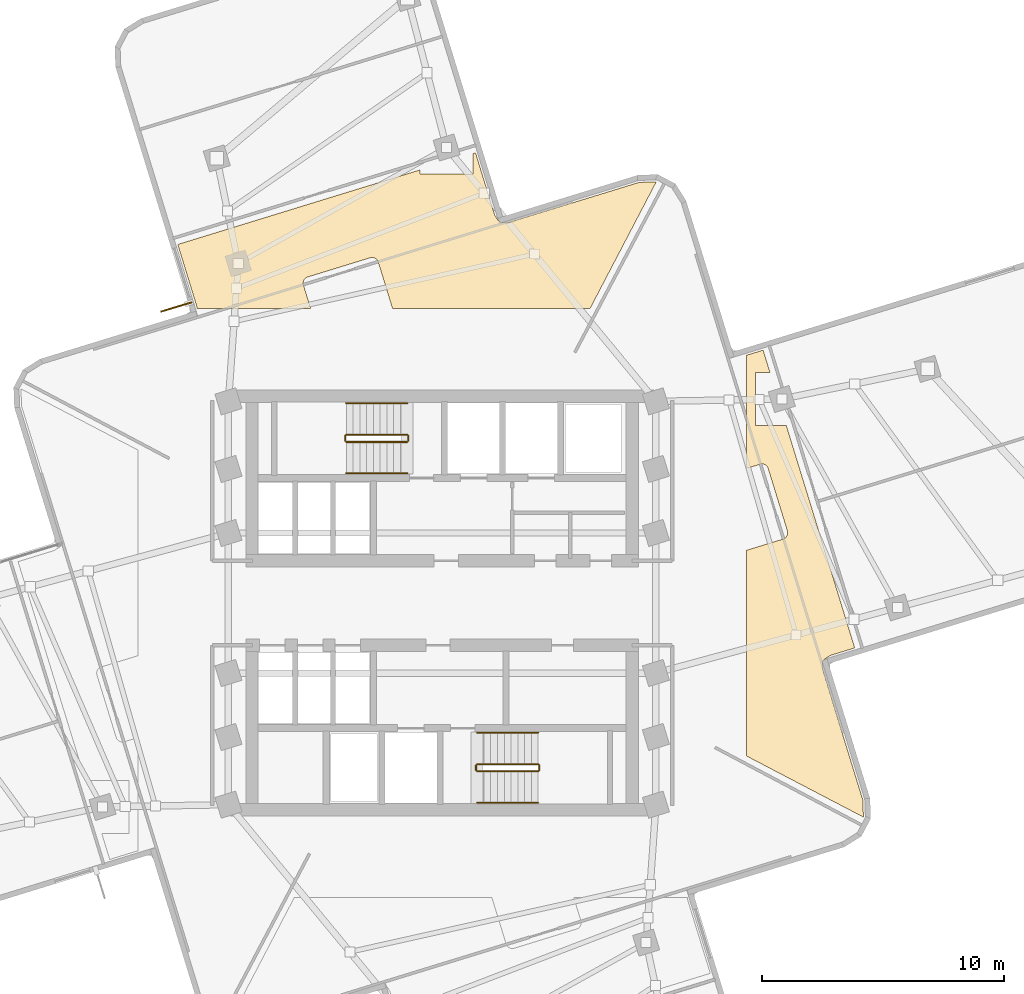
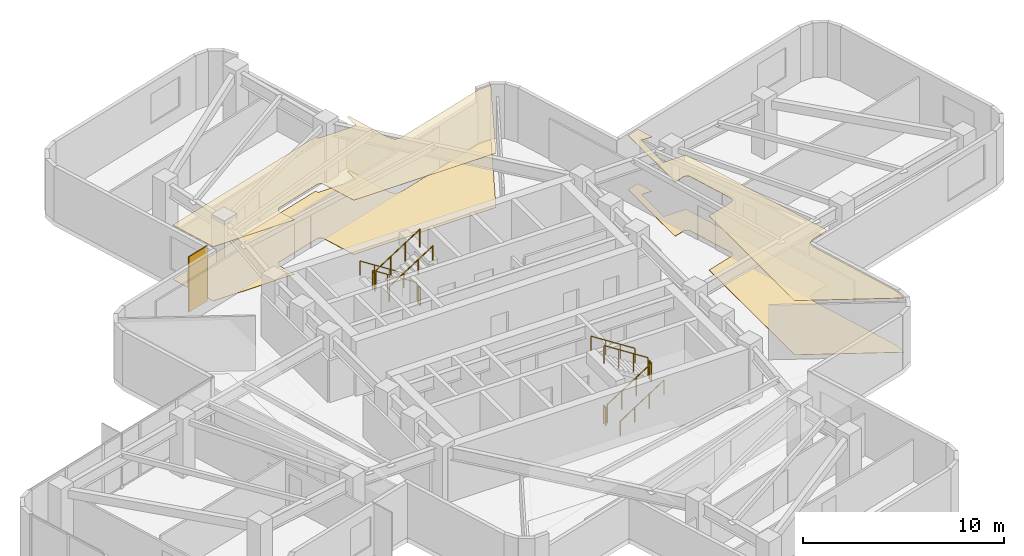
# One storey, part 10 of 10: 12 railings, 4 coverings, 1 shading device.
"""IFC4 building model written with IfcOpenShell, lengths in metres."""

from ifc_helpers import new_model, si_unit, direction, frame, origin, origin_2d, place, context, subcontext, project, spatial, polyline, rectangle, circle, outline, extrude, material, layer, layer_set, type_object, element, save


model = new_model("IFC4")

# Units and contexts
model_context = context("Model", 3, precision=1e-05, world=origin(), true_north=direction((0.0, 1.0)))
body_context = subcontext(model_context, "Body", "Model", "MODEL_VIEW")
ifc_project = project(units=[si_unit("LENGTHUNIT", "METRE"), si_unit("AREAUNIT", "SQUARE_METRE"), si_unit("VOLUMEUNIT", "CUBIC_METRE"), si_unit("PLANEANGLEUNIT", "RADIAN"), si_unit("MASSUNIT", "GRAM", prefix="KILO")], contexts=[model_context])

# Site, building, storey
site_placement = place(None, origin())
site = spatial("IfcSite", under=ifc_project, at=site_placement, CompositionType="ELEMENT")
building_placement = place(site_placement, origin())
building = spatial("IfcBuilding", under=site, at=building_placement, Name="Solmarez Civic Tower", CompositionType="ELEMENT")
storey_placement = place(building_placement, frame((0.0, 0.0, 148.679931640625)))
storey = spatial("IfcBuildingStorey", under=building, at=storey_placement, Name="L39", CompositionType="ELEMENT", Elevation=148.679931640625)

# Coverings
ifc_material_1 = material(Name="Perforated Mineral-Fibre Acoustic Ceiling")
ifc_layer_1 = layer(ifc_material_1, 0.02490234375)
ifc_layer_set_1 = layer_set([ifc_layer_1], Name="Perforated Mineral-Fibre Acoustic Ceiling")
covering_type_1 = type_object("IfcCoveringType", Name="COV-CEIL-ACOUSTIC", PredefinedType="CEILING", material=ifc_layer_set_1)
covering_1_placement = place(storey_placement, frame((0.0, 0.0, 3.295166015625)))
element("IfcCovering", 1, at=covering_1_placement, inside=storey, type_object=covering_type_1, Name="L39 Suspended Acoustic Ceiling 2", PredefinedType="CEILING", context=body_context, shape_type="SweptSolid", body=[
    extrude(outline(polyline([(-10.949951171875, 14.845947265625), (-10.1708984375, 12.31494140625), (-10.1689453125, 12.31005859375), (-10.1669921875, 12.302978515625), (-10.160888671875, 12.27392578125), (-10.159912109375, 12.26708984375), (-10.158935546875, 12.260009765625), (-10.156982421875, 12.237060546875), (-10.156005859375, 12.199951171875), (-5.447998046875, 12.199951171875), (-5.743896484375, 13.162109375), (-5.75, 13.18408203125), (-5.7509765625, 13.18896484375), (-5.751953125, 13.194091796875), (-5.7548828125, 13.215087890625), (-5.756103515625, 13.237060546875), (-5.756103515625, 13.2470703125), (-5.7548828125, 13.27099609375), (-5.7509765625, 13.294921875), (-5.7490234375, 13.303955078125), (-5.742919921875, 13.324951171875), (-5.735107421875, 13.344970703125), (-5.73095703125, 13.35400390625), (-5.721923828125, 13.3720703125), (-5.717041015625, 13.381103515625), (-5.705078125, 13.39990234375), (-5.69091796875, 13.4189453125), (-5.675048828125, 13.43505859375), (-5.6640625, 13.444091796875), (-5.656982421875, 13.449951171875), (-5.64208984375, 13.4619140625), (-5.62109375, 13.47607421875), (-5.59912109375, 13.487060546875), (-5.590087890625, 13.490966796875), (-5.56591796875, 13.5), (-2.986083984375, 14.2939453125), (-2.964111328125, 14.300048828125), (-2.958984375, 14.301025390625), (-2.93798828125, 14.303955078125), (-2.927978515625, 14.304931640625), (-2.906005859375, 14.305908203125), (-2.90087890625, 14.305908203125), (-2.876953125, 14.304931640625), (-2.85302734375, 14.301025390625), (-2.843994140625, 14.299072265625), (-2.822998046875, 14.29296875), (-2.802978515625, 14.284912109375), (-2.7958984375, 14.281982421875), (-2.77587890625, 14.27294921875), (-2.757080078125, 14.261962890625), (-2.739013671875, 14.248046875), (-2.722900390625, 14.23388671875), (-2.718994140625, 14.23095703125), (-2.705078125, 14.217041015625), (-2.69189453125, 14.200927734375), (-2.679931640625, 14.18505859375), (-2.675048828125, 14.177001953125), (-2.660888671875, 14.14892578125), (-2.656982421875, 14.139892578125), (-2.64794921875, 14.115966796875), (-2.05810546875, 12.199951171875), (6.1259765625, 12.199951171875), (8.864013671875, 17.43896484375), (8.85693359375, 17.44189453125), (8.14990234375, 17.416015625), (2.798095703125, 15.77001953125), (2.79296875, 15.76806640625), (2.785888671875, 15.76611328125), (2.757080078125, 15.760009765625), (2.75, 15.759033203125), (2.742919921875, 15.758056640625), (2.719970703125, 15.756103515625), (2.548095703125, 15.75), (2.5400390625, 15.75), (2.532958984375, 15.75), (2.506103515625, 15.751953125), (2.498046875, 15.7529296875), (2.48095703125, 15.7548828125), (2.465087890625, 15.759033203125), (2.45703125, 15.761962890625), (2.43994140625, 15.76708984375), (2.423095703125, 15.77294921875), (2.416015625, 15.77587890625), (2.405029296875, 15.781005859375), (2.39892578125, 15.783935546875), (2.387939453125, 15.7900390625), (2.381103515625, 15.7939453125), (2.364990234375, 15.803955078125), (2.34912109375, 15.81591796875), (2.343017578125, 15.821044921875), (2.327880859375, 15.833984375), (2.31494140625, 15.85009765625), (2.304931640625, 15.860107421875), (2.29296875, 15.875), (2.281982421875, 15.89404296875), (2.19189453125, 16.034912109375), (2.180908203125, 16.054931640625), (2.177978515625, 16.06103515625), (2.172119140625, 16.073974609375), (2.1650390625, 16.090087890625), (2.158935546875, 16.10693359375), (1.3798828125, 18.639892578125), (1.282958984375, 18.610107421875), (1.282958984375, 17.760009765625), (-0.9169921875, 17.760009765625), (-0.9169921875, 17.93310546875), (-10.949951171875, 14.845947265625)])), origin(), (0.0, 0.0, 1.0), 0.02490234375),
])
covering_2_placement = place(storey_placement, frame((0.0, 0.0, 3.295166015625)))
element("IfcCovering", 2, at=covering_2_placement, inside=storey, type_object=covering_type_1, Name="L39 Suspended Acoustic Ceiling 4", PredefinedType="CEILING", context=body_context, shape_type="SweptSolid", body=[
    extrude(outline(polyline([(13.2880859375, 10.469970703125), (12.60009765625, 10.258056640625), (12.60009765625, 5.571044921875), (13.162109375, 5.743896484375), (13.18408203125, 5.75), (13.18896484375, 5.7509765625), (13.194091796875, 5.751953125), (13.215087890625, 5.7548828125), (13.237060546875, 5.756103515625), (13.2470703125, 5.756103515625), (13.27099609375, 5.7548828125), (13.294921875, 5.7509765625), (13.303955078125, 5.7490234375), (13.324951171875, 5.742919921875), (13.344970703125, 5.735107421875), (13.35400390625, 5.73095703125), (13.3720703125, 5.721923828125), (13.381103515625, 5.717041015625), (13.39990234375, 5.705078125), (13.4189453125, 5.69091796875), (13.43505859375, 5.675048828125), (13.444091796875, 5.6640625), (13.449951171875, 5.656982421875), (13.4619140625, 5.64208984375), (13.47607421875, 5.62109375), (13.487060546875, 5.59912109375), (13.490966796875, 5.590087890625), (13.5, 5.56591796875), (14.2939453125, 2.986083984375), (14.300048828125, 2.964111328125), (14.301025390625, 2.958984375), (14.303955078125, 2.93798828125), (14.304931640625, 2.927978515625), (14.305908203125, 2.906005859375), (14.305908203125, 2.90087890625), (14.304931640625, 2.876953125), (14.301025390625, 2.85302734375), (14.299072265625, 2.843994140625), (14.29296875, 2.822998046875), (14.284912109375, 2.802978515625), (14.281982421875, 2.7958984375), (14.27294921875, 2.77587890625), (14.261962890625, 2.757080078125), (14.248046875, 2.739013671875), (14.23388671875, 2.722900390625), (14.23095703125, 2.718994140625), (14.217041015625, 2.705078125), (14.200927734375, 2.69189453125), (14.18505859375, 2.679931640625), (14.177001953125, 2.675048828125), (14.14892578125, 2.660888671875), (14.139892578125, 2.656982421875), (14.115966796875, 2.64794921875), (12.60009765625, 2.181884765625), (12.60009765625, -6.3349609375), (17.43896484375, -8.864013671875), (17.44189453125, -8.85693359375), (17.416015625, -8.14990234375), (15.77001953125, -2.798095703125), (15.76806640625, -2.79296875), (15.76611328125, -2.785888671875), (15.760009765625, -2.757080078125), (15.759033203125, -2.75), (15.758056640625, -2.742919921875), (15.756103515625, -2.719970703125), (15.75, -2.548095703125), (15.75, -2.5400390625), (15.75, -2.532958984375), (15.751953125, -2.506103515625), (15.7529296875, -2.498046875), (15.7548828125, -2.48095703125), (15.759033203125, -2.465087890625), (15.761962890625, -2.45703125), (15.76708984375, -2.43994140625), (15.77294921875, -2.423095703125), (15.77587890625, -2.416015625), (15.781005859375, -2.405029296875), (15.783935546875, -2.39892578125), (15.7900390625, -2.387939453125), (15.7939453125, -2.381103515625), (15.803955078125, -2.364990234375), (15.81591796875, -2.34912109375), (15.821044921875, -2.343017578125), (15.833984375, -2.327880859375), (15.85009765625, -2.31494140625), (15.860107421875, -2.304931640625), (15.875, -2.29296875), (15.89404296875, -2.281982421875), (16.034912109375, -2.19189453125), (16.054931640625, -2.180908203125), (16.06103515625, -2.177978515625), (16.073974609375, -2.172119140625), (16.090087890625, -2.1650390625), (16.10693359375, -2.158935546875), (17.08203125, -1.85888671875), (14.25, 7.344970703125), (12.964111328125, 7.344970703125), (12.964111328125, 9.544921875), (13.572998046875, 9.544921875), (13.2880859375, 10.469970703125)])), origin(), (0.0, 0.0, 1.0), 0.02490234375),
])
ifc_material_2 = material(Name="Polished Tropical Stone Terrazzo Flooring", Category="masonry")
ifc_layer_2 = layer(ifc_material_2, 0.02001953125)
ifc_layer_set_2 = layer_set([ifc_layer_2], Name="Polished Tropical Stone Terrazzo Flooring")
covering_type_2 = type_object("IfcCoveringType", Name="COV-FLOOR-TERRAZZO", PredefinedType="FLOORING", material=ifc_layer_set_2)
covering_3_placement = place(storey_placement, origin())
element("IfcCovering", 3, at=covering_3_placement, inside=storey, type_object=covering_type_2, Name="L39 Terrazzo Floor Finish 2", PredefinedType="FLOORING", context=body_context, shape_type="SweptSolid", body=[
    extrude(outline(polyline([(-10.949951171875, 14.845947265625), (-10.1708984375, 12.31494140625), (-10.1689453125, 12.31005859375), (-10.1669921875, 12.302978515625), (-10.160888671875, 12.27392578125), (-10.159912109375, 12.26708984375), (-10.158935546875, 12.260009765625), (-10.156982421875, 12.237060546875), (-10.156005859375, 12.199951171875), (-5.447998046875, 12.199951171875), (-5.743896484375, 13.162109375), (-5.75, 13.18408203125), (-5.7509765625, 13.18896484375), (-5.751953125, 13.194091796875), (-5.7548828125, 13.215087890625), (-5.756103515625, 13.237060546875), (-5.756103515625, 13.2470703125), (-5.7548828125, 13.27099609375), (-5.7509765625, 13.294921875), (-5.7490234375, 13.303955078125), (-5.742919921875, 13.324951171875), (-5.735107421875, 13.344970703125), (-5.73095703125, 13.35400390625), (-5.721923828125, 13.3720703125), (-5.717041015625, 13.381103515625), (-5.705078125, 13.39990234375), (-5.69091796875, 13.4189453125), (-5.675048828125, 13.43505859375), (-5.6640625, 13.444091796875), (-5.656982421875, 13.449951171875), (-5.64208984375, 13.4619140625), (-5.62109375, 13.47607421875), (-5.59912109375, 13.487060546875), (-5.590087890625, 13.490966796875), (-5.56591796875, 13.5), (-2.986083984375, 14.2939453125), (-2.964111328125, 14.300048828125), (-2.958984375, 14.301025390625), (-2.93798828125, 14.303955078125), (-2.927978515625, 14.304931640625), (-2.906005859375, 14.305908203125), (-2.90087890625, 14.305908203125), (-2.876953125, 14.304931640625), (-2.85302734375, 14.301025390625), (-2.843994140625, 14.299072265625), (-2.822998046875, 14.29296875), (-2.802978515625, 14.284912109375), (-2.7958984375, 14.281982421875), (-2.77587890625, 14.27294921875), (-2.757080078125, 14.261962890625), (-2.739013671875, 14.248046875), (-2.722900390625, 14.23388671875), (-2.718994140625, 14.23095703125), (-2.705078125, 14.217041015625), (-2.69189453125, 14.200927734375), (-2.679931640625, 14.18505859375), (-2.675048828125, 14.177001953125), (-2.660888671875, 14.14892578125), (-2.656982421875, 14.139892578125), (-2.64794921875, 14.115966796875), (-2.05810546875, 12.199951171875), (6.1259765625, 12.199951171875), (8.864013671875, 17.43896484375), (8.85693359375, 17.44189453125), (8.14990234375, 17.416015625), (2.798095703125, 15.77001953125), (2.79296875, 15.76806640625), (2.785888671875, 15.76611328125), (2.757080078125, 15.760009765625), (2.75, 15.759033203125), (2.742919921875, 15.758056640625), (2.719970703125, 15.756103515625), (2.548095703125, 15.75), (2.5400390625, 15.75), (2.532958984375, 15.75), (2.506103515625, 15.751953125), (2.498046875, 15.7529296875), (2.48095703125, 15.7548828125), (2.465087890625, 15.759033203125), (2.45703125, 15.761962890625), (2.43994140625, 15.76708984375), (2.423095703125, 15.77294921875), (2.416015625, 15.77587890625), (2.405029296875, 15.781005859375), (2.39892578125, 15.783935546875), (2.387939453125, 15.7900390625), (2.381103515625, 15.7939453125), (2.364990234375, 15.803955078125), (2.34912109375, 15.81591796875), (2.343017578125, 15.821044921875), (2.327880859375, 15.833984375), (2.31494140625, 15.85009765625), (2.304931640625, 15.860107421875), (2.29296875, 15.875), (2.281982421875, 15.89404296875), (2.19189453125, 16.034912109375), (2.180908203125, 16.054931640625), (2.177978515625, 16.06103515625), (2.172119140625, 16.073974609375), (2.1650390625, 16.090087890625), (2.158935546875, 16.10693359375), (1.3798828125, 18.639892578125), (1.282958984375, 18.610107421875), (1.282958984375, 17.760009765625), (-0.9169921875, 17.760009765625), (-0.9169921875, 17.93310546875), (-10.949951171875, 14.845947265625)])), origin(), (0.0, 0.0, 1.0), 0.02001953125),
])
covering_4_placement = place(storey_placement, origin())
element("IfcCovering", 4, at=covering_4_placement, inside=storey, type_object=covering_type_2, Name="L39 Terrazzo Floor Finish 4", PredefinedType="FLOORING", context=body_context, shape_type="SweptSolid", body=[
    extrude(outline(polyline([(13.2880859375, 10.469970703125), (12.60009765625, 10.258056640625), (12.60009765625, 5.571044921875), (13.162109375, 5.743896484375), (13.18408203125, 5.75), (13.18896484375, 5.7509765625), (13.194091796875, 5.751953125), (13.215087890625, 5.7548828125), (13.237060546875, 5.756103515625), (13.2470703125, 5.756103515625), (13.27099609375, 5.7548828125), (13.294921875, 5.7509765625), (13.303955078125, 5.7490234375), (13.324951171875, 5.742919921875), (13.344970703125, 5.735107421875), (13.35400390625, 5.73095703125), (13.3720703125, 5.721923828125), (13.381103515625, 5.717041015625), (13.39990234375, 5.705078125), (13.4189453125, 5.69091796875), (13.43505859375, 5.675048828125), (13.444091796875, 5.6640625), (13.449951171875, 5.656982421875), (13.4619140625, 5.64208984375), (13.47607421875, 5.62109375), (13.487060546875, 5.59912109375), (13.490966796875, 5.590087890625), (13.5, 5.56591796875), (14.2939453125, 2.986083984375), (14.300048828125, 2.964111328125), (14.301025390625, 2.958984375), (14.303955078125, 2.93798828125), (14.304931640625, 2.927978515625), (14.305908203125, 2.906005859375), (14.305908203125, 2.90087890625), (14.304931640625, 2.876953125), (14.301025390625, 2.85302734375), (14.299072265625, 2.843994140625), (14.29296875, 2.822998046875), (14.284912109375, 2.802978515625), (14.281982421875, 2.7958984375), (14.27294921875, 2.77587890625), (14.261962890625, 2.757080078125), (14.248046875, 2.739013671875), (14.23388671875, 2.722900390625), (14.23095703125, 2.718994140625), (14.217041015625, 2.705078125), (14.200927734375, 2.69189453125), (14.18505859375, 2.679931640625), (14.177001953125, 2.675048828125), (14.14892578125, 2.660888671875), (14.139892578125, 2.656982421875), (14.115966796875, 2.64794921875), (12.60009765625, 2.181884765625), (12.60009765625, -6.3349609375), (17.43896484375, -8.864013671875), (17.44189453125, -8.85693359375), (17.416015625, -8.14990234375), (15.77001953125, -2.798095703125), (15.76806640625, -2.79296875), (15.76611328125, -2.785888671875), (15.760009765625, -2.757080078125), (15.759033203125, -2.75), (15.758056640625, -2.742919921875), (15.756103515625, -2.719970703125), (15.75, -2.548095703125), (15.75, -2.5400390625), (15.75, -2.532958984375), (15.751953125, -2.506103515625), (15.7529296875, -2.498046875), (15.7548828125, -2.48095703125), (15.759033203125, -2.465087890625), (15.761962890625, -2.45703125), (15.76708984375, -2.43994140625), (15.77294921875, -2.423095703125), (15.77587890625, -2.416015625), (15.781005859375, -2.405029296875), (15.783935546875, -2.39892578125), (15.7900390625, -2.387939453125), (15.7939453125, -2.381103515625), (15.803955078125, -2.364990234375), (15.81591796875, -2.34912109375), (15.821044921875, -2.343017578125), (15.833984375, -2.327880859375), (15.85009765625, -2.31494140625), (15.860107421875, -2.304931640625), (15.875, -2.29296875), (15.89404296875, -2.281982421875), (16.034912109375, -2.19189453125), (16.054931640625, -2.180908203125), (16.06103515625, -2.177978515625), (16.073974609375, -2.172119140625), (16.090087890625, -2.1650390625), (16.10693359375, -2.158935546875), (17.08203125, -1.85888671875), (14.25, 7.344970703125), (12.964111328125, 7.344970703125), (12.964111328125, 9.544921875), (13.572998046875, 9.544921875), (13.2880859375, 10.469970703125)])), origin(), (0.0, 0.0, 1.0), 0.02001953125),
])

# Shading device
ifc_material_3 = material(Name="Bronze Anodised Aluminium EN AW-6063 T6", Category="aluminium")
ifc_layer_3 = layer(ifc_material_3, 0.06005859375)
ifc_layer_set_3 = layer_set([ifc_layer_3], Name="Bronze Anodised Aluminium EN AW-6063 T6")
shading_device_type = type_object("IfcShadingDeviceType", Name="FIN-BRONZE-Z34", PredefinedType="USERDEFINED", material=ifc_layer_set_3)
shading_device_placement = place(storey_placement, frame((-11.006103515625, 12.258056640625, -0.0400390625), z_axis=(0.0, 0.0, 1.0), x_axis=(-0.957274084713, -0.289182168773, 0.0)))
element("IfcShadingDevice", 5, at=shading_device_placement, inside=storey, type_object=shading_device_type, Name="L39 Anodised Bronze Solar Fin FIN-L39-04", ObjectType="FIN", PredefinedType="USERDEFINED", context=body_context, shape_type="SweptSolid", body=[
    extrude(rectangle(XDim=1.35009765625, YDim=0.06005859375, at=origin_2d()), origin(), (0.0, 0.0, 1.0), 3.360107421875),
])

# Railings
ifc_material_4 = material(Name="Painted Steel Stairwell Safety Guard", Category="steel")
railing_type_1 = type_object("IfcRailingType", Name="GUARD-STAIR-1120", PredefinedType="BALUSTRADE", material=ifc_material_4)
railing_1_placement = place(storey_placement, frame((-1.449951171875, 6.969970703125, 0.18017578125)))
element("IfcRailing", 6, at=railing_1_placement, inside=storey, type_object=railing_type_1, Name="L39 ST-1 stair guard 1", PredefinedType="BALUSTRADE", context=body_context, shape_type="SweptSolid", body=[
    extrude(circle(Radius=0.02392578125, at=origin_2d()), frame((0.0, 0.0, 1.09619140625), z_axis=(-0.841199657755, 0.0, 0.540724639528), x_axis=(0.0, -1.0, 0.0)), (0.0, 0.0, 1.0), 2.995849609375),
    extrude(circle(Radius=0.02099609375, at=origin_2d()), origin(), (0.0, 0.0, 1.0), 1.072021484375),
    extrude(circle(Radius=0.02099609375, at=origin_2d()), frame((-0.840087890625, 0.0, 0.5400390625)), (0.0, 0.0, 1.0), 1.072021484375),
    extrude(circle(Radius=0.02099609375, at=origin_2d()), frame((-1.679931640625, 0.0, 1.079833984375)), (0.0, 0.0, 1.0), 1.072021484375),
    extrude(circle(Radius=0.02099609375, at=origin_2d()), frame((-2.52001953125, 0.0, 1.619873046875)), (0.0, 0.0, 1.0), 1.072021484375),
])
railing_2_placement = place(storey_placement, frame((-4.02001953125, 6.919921875, 1.800048828125)))
element("IfcRailing", 7, at=railing_2_placement, inside=storey, type_object=railing_type_1, Name="L39 ST-1 stair guard 2", PredefinedType="BALUSTRADE", context=body_context, shape_type="SweptSolid", body=[
    extrude(circle(Radius=0.02392578125, at=origin_2d()), frame((0.0, 0.0, 1.09619140625), z_axis=(0.0, -1.0, 0.0), x_axis=(1.0, 0.0, 0.0)), (0.0, 0.0, 1.0), 0.199951171875),
    extrude(circle(Radius=0.02099609375, at=origin_2d()), origin(), (0.0, 0.0, 1.0), 1.072021484375),
    extrude(circle(Radius=0.02099609375, at=origin_2d()), frame((0.0, -0.199951171875, 0.0)), (0.0, 0.0, 1.0), 1.072021484375),
])
railing_3_placement = place(storey_placement, frame((-3.969970703125, 6.669921875, 1.97998046875)))
element("IfcRailing", 8, at=railing_3_placement, inside=storey, type_object=railing_type_1, Name="L39 ST-1 stair guard 3", PredefinedType="BALUSTRADE", context=body_context, shape_type="SweptSolid", body=[
    extrude(circle(Radius=0.02392578125, at=origin_2d()), frame((0.0, 0.0, 1.09619140625), z_axis=(0.841162588446, 0.0, 0.540782303519), x_axis=(0.0, 1.0, 0.0)), (0.0, 0.0, 1.0), 2.995849609375),
    extrude(circle(Radius=0.02099609375, at=origin_2d()), origin(), (0.0, 0.0, 1.0), 1.072021484375),
    extrude(circle(Radius=0.02099609375, at=origin_2d()), frame((0.840087890625, 0.0, 0.5400390625)), (0.0, 0.0, 1.0), 1.072021484375),
    extrude(circle(Radius=0.02099609375, at=origin_2d()), frame((1.679931640625, 0.0, 1.080078125)), (0.0, 0.0, 1.0), 1.072021484375),
    extrude(circle(Radius=0.02099609375, at=origin_2d()), frame((2.52001953125, 0.0, 1.6201171875)), (0.0, 0.0, 1.0), 1.072021484375),
])
railing_4_placement = place(storey_placement, frame((-1.39990234375, 6.919921875, 0.0)))
element("IfcRailing", 9, at=railing_4_placement, inside=storey, type_object=railing_type_1, Name="L39 ST-1 stair guard 4", PredefinedType="BALUSTRADE", context=body_context, shape_type="SweptSolid", body=[
    extrude(circle(Radius=0.02392578125, at=origin_2d()), frame((0.0, 0.0, 1.09619140625), z_axis=(0.0, -1.0, 0.0), x_axis=(1.0, 0.0, 0.0)), (0.0, 0.0, 1.0), 0.199951171875),
    extrude(circle(Radius=0.02099609375, at=origin_2d()), origin(), (0.0, 0.0, 1.0), 1.072021484375),
    extrude(circle(Radius=0.02099609375, at=origin_2d()), frame((0.0, -0.199951171875, 0.0)), (0.0, 0.0, 1.0), 1.072021484375),
])
railing_5_placement = place(storey_placement, frame((1.449951171875, -6.969970703125, 0.18017578125)))
element("IfcRailing", 10, at=railing_5_placement, inside=storey, type_object=railing_type_1, Name="L39 ST-2 stair guard 1", PredefinedType="BALUSTRADE", context=body_context, shape_type="SweptSolid", body=[
    extrude(circle(Radius=0.02392578125, at=origin_2d()), frame((0.0, 0.0, 1.09619140625), z_axis=(0.841199657755, 0.0, 0.540724639528), x_axis=(0.0, 1.0, 0.0)), (0.0, 0.0, 1.0), 2.995849609375),
    extrude(circle(Radius=0.02099609375, at=origin_2d()), origin(), (0.0, 0.0, 1.0), 1.072021484375),
    extrude(circle(Radius=0.02099609375, at=origin_2d()), frame((0.840087890625, 0.0, 0.5400390625)), (0.0, 0.0, 1.0), 1.072021484375),
    extrude(circle(Radius=0.02099609375, at=origin_2d()), frame((1.679931640625, 0.0, 1.079833984375)), (0.0, 0.0, 1.0), 1.072021484375),
    extrude(circle(Radius=0.02099609375, at=origin_2d()), frame((2.52001953125, 0.0, 1.619873046875)), (0.0, 0.0, 1.0), 1.072021484375),
])
railing_6_placement = place(storey_placement, frame((4.02001953125, -6.919921875, 1.800048828125)))
element("IfcRailing", 11, at=railing_6_placement, inside=storey, type_object=railing_type_1, Name="L39 ST-2 stair guard 2", PredefinedType="BALUSTRADE", context=body_context, shape_type="SweptSolid", body=[
    extrude(circle(Radius=0.02392578125, at=origin_2d()), frame((0.0, 0.0, 1.09619140625), z_axis=(0.0, 1.0, 0.0), x_axis=(-1.0, 0.0, 0.0)), (0.0, 0.0, 1.0), 0.199951171875),
    extrude(circle(Radius=0.02099609375, at=origin_2d()), origin(), (0.0, 0.0, 1.0), 1.072021484375),
    extrude(circle(Radius=0.02099609375, at=origin_2d()), frame((0.0, 0.199951171875, 0.0)), (0.0, 0.0, 1.0), 1.072021484375),
])
railing_7_placement = place(storey_placement, frame((3.969970703125, -6.669921875, 1.97998046875)))
element("IfcRailing", 12, at=railing_7_placement, inside=storey, type_object=railing_type_1, Name="L39 ST-2 stair guard 3", PredefinedType="BALUSTRADE", context=body_context, shape_type="SweptSolid", body=[
    extrude(circle(Radius=0.02392578125, at=origin_2d()), frame((0.0, 0.0, 1.09619140625), z_axis=(-0.841162588446, 0.0, 0.540782303519), x_axis=(0.0, -1.0, 0.0)), (0.0, 0.0, 1.0), 2.995849609375),
    extrude(circle(Radius=0.02099609375, at=origin_2d()), origin(), (0.0, 0.0, 1.0), 1.072021484375),
    extrude(circle(Radius=0.02099609375, at=origin_2d()), frame((-0.840087890625, 0.0, 0.5400390625)), (0.0, 0.0, 1.0), 1.072021484375),
    extrude(circle(Radius=0.02099609375, at=origin_2d()), frame((-1.679931640625, 0.0, 1.080078125)), (0.0, 0.0, 1.0), 1.072021484375),
    extrude(circle(Radius=0.02099609375, at=origin_2d()), frame((-2.52001953125, 0.0, 1.6201171875)), (0.0, 0.0, 1.0), 1.072021484375),
])
railing_8_placement = place(storey_placement, frame((1.39990234375, -6.919921875, 0.0)))
element("IfcRailing", 13, at=railing_8_placement, inside=storey, type_object=railing_type_1, Name="L39 ST-2 stair guard 4", PredefinedType="BALUSTRADE", context=body_context, shape_type="SweptSolid", body=[
    extrude(circle(Radius=0.02392578125, at=origin_2d()), frame((0.0, 0.0, 1.09619140625), z_axis=(0.0, 1.0, 0.0), x_axis=(-1.0, 0.0, 0.0)), (0.0, 0.0, 1.0), 0.199951171875),
    extrude(circle(Radius=0.02099609375, at=origin_2d()), origin(), (0.0, 0.0, 1.0), 1.072021484375),
    extrude(circle(Radius=0.02099609375, at=origin_2d()), frame((0.0, 0.199951171875, 0.0)), (0.0, 0.0, 1.0), 1.072021484375),
])
ifc_material_5 = material(Name="Brushed Stainless Steel Tube Handrail", Category="steel")
railing_type_2 = type_object("IfcRailingType", Name="HANDRAIL-STAIR-900", PredefinedType="HANDRAIL", material=ifc_material_5)
railing_9_placement = place(storey_placement, frame((-1.449951171875, 8.27001953125, 0.18017578125)))
element("IfcRailing", 14, at=railing_9_placement, inside=storey, type_object=railing_type_2, Name="L39 ST-1 stair handrail 1", PredefinedType="HANDRAIL", context=body_context, shape_type="SweptSolid", body=[
    extrude(circle(Radius=0.02392578125, at=origin_2d()), frame((0.0, 0.0, 0.8759765625), z_axis=(-0.841199657755, 0.0, 0.540724639528), x_axis=(0.0, -1.0, 0.0)), (0.0, 0.0, 1.0), 2.995849609375),
    extrude(circle(Radius=0.02099609375, at=origin_2d()), origin(), (0.0, 0.0, 1.0), 0.851806640625),
    extrude(circle(Radius=0.02099609375, at=origin_2d()), frame((-0.840087890625, 0.0, 0.5400390625)), (0.0, 0.0, 1.0), 0.851806640625),
    extrude(circle(Radius=0.02099609375, at=origin_2d()), frame((-1.679931640625, 0.0, 1.079833984375)), (0.0, 0.0, 1.0), 0.851806640625),
    extrude(circle(Radius=0.02099609375, at=origin_2d()), frame((-2.52001953125, 0.0, 1.619873046875)), (0.0, 0.0, 1.0), 0.851806640625),
])
railing_10_placement = place(storey_placement, frame((-3.969970703125, 5.3701171875, 1.97998046875)))
element("IfcRailing", 15, at=railing_10_placement, inside=storey, type_object=railing_type_2, Name="L39 ST-1 stair handrail 2", PredefinedType="HANDRAIL", context=body_context, shape_type="SweptSolid", body=[
    extrude(circle(Radius=0.02392578125, at=origin_2d()), frame((0.0, 0.0, 0.8759765625), z_axis=(0.841162588446, 0.0, 0.540782303519), x_axis=(0.0, 1.0, 0.0)), (0.0, 0.0, 1.0), 2.995849609375),
    extrude(circle(Radius=0.02099609375, at=origin_2d()), origin(), (0.0, 0.0, 1.0), 0.851806640625),
    extrude(circle(Radius=0.02099609375, at=origin_2d()), frame((0.840087890625, 0.0, 0.5400390625)), (0.0, 0.0, 1.0), 0.851806640625),
    extrude(circle(Radius=0.02099609375, at=origin_2d()), frame((1.679931640625, 0.0, 1.080078125)), (0.0, 0.0, 1.0), 0.851806640625),
    extrude(circle(Radius=0.02099609375, at=origin_2d()), frame((2.52001953125, 0.0, 1.6201171875)), (0.0, 0.0, 1.0), 0.851806640625),
])
railing_11_placement = place(storey_placement, frame((1.449951171875, -8.27001953125, 0.18017578125)))
element("IfcRailing", 16, at=railing_11_placement, inside=storey, type_object=railing_type_2, Name="L39 ST-2 stair handrail 1", PredefinedType="HANDRAIL", context=body_context, shape_type="SweptSolid", body=[
    extrude(circle(Radius=0.02392578125, at=origin_2d()), frame((0.0, 0.0, 0.8759765625), z_axis=(0.841199657755, 0.0, 0.540724639528), x_axis=(0.0, 1.0, 0.0)), (0.0, 0.0, 1.0), 2.995849609375),
    extrude(circle(Radius=0.02099609375, at=origin_2d()), origin(), (0.0, 0.0, 1.0), 0.851806640625),
    extrude(circle(Radius=0.02099609375, at=origin_2d()), frame((0.840087890625, 0.0, 0.5400390625)), (0.0, 0.0, 1.0), 0.851806640625),
    extrude(circle(Radius=0.02099609375, at=origin_2d()), frame((1.679931640625, 0.0, 1.079833984375)), (0.0, 0.0, 1.0), 0.851806640625),
    extrude(circle(Radius=0.02099609375, at=origin_2d()), frame((2.52001953125, 0.0, 1.619873046875)), (0.0, 0.0, 1.0), 0.851806640625),
])
railing_12_placement = place(storey_placement, frame((3.969970703125, -5.3701171875, 1.97998046875)))
element("IfcRailing", 17, at=railing_12_placement, inside=storey, type_object=railing_type_2, Name="L39 ST-2 stair handrail 2", PredefinedType="HANDRAIL", context=body_context, shape_type="SweptSolid", body=[
    extrude(circle(Radius=0.02392578125, at=origin_2d()), frame((0.0, 0.0, 0.8759765625), z_axis=(-0.841162588446, 0.0, 0.540782303519), x_axis=(0.0, -1.0, 0.0)), (0.0, 0.0, 1.0), 2.995849609375),
    extrude(circle(Radius=0.02099609375, at=origin_2d()), origin(), (0.0, 0.0, 1.0), 0.851806640625),
    extrude(circle(Radius=0.02099609375, at=origin_2d()), frame((-0.840087890625, 0.0, 0.5400390625)), (0.0, 0.0, 1.0), 0.851806640625),
    extrude(circle(Radius=0.02099609375, at=origin_2d()), frame((-1.679931640625, 0.0, 1.080078125)), (0.0, 0.0, 1.0), 0.851806640625),
    extrude(circle(Radius=0.02099609375, at=origin_2d()), frame((-2.52001953125, 0.0, 1.6201171875)), (0.0, 0.0, 1.0), 0.851806640625),
])

save(model, "model.ifc")
